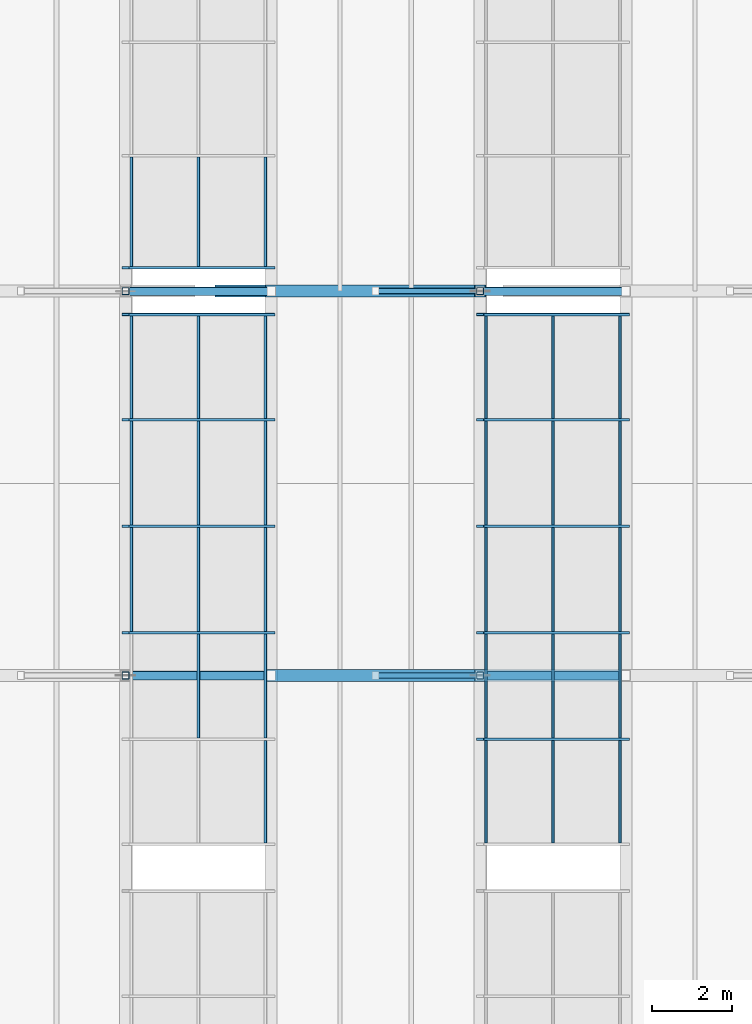
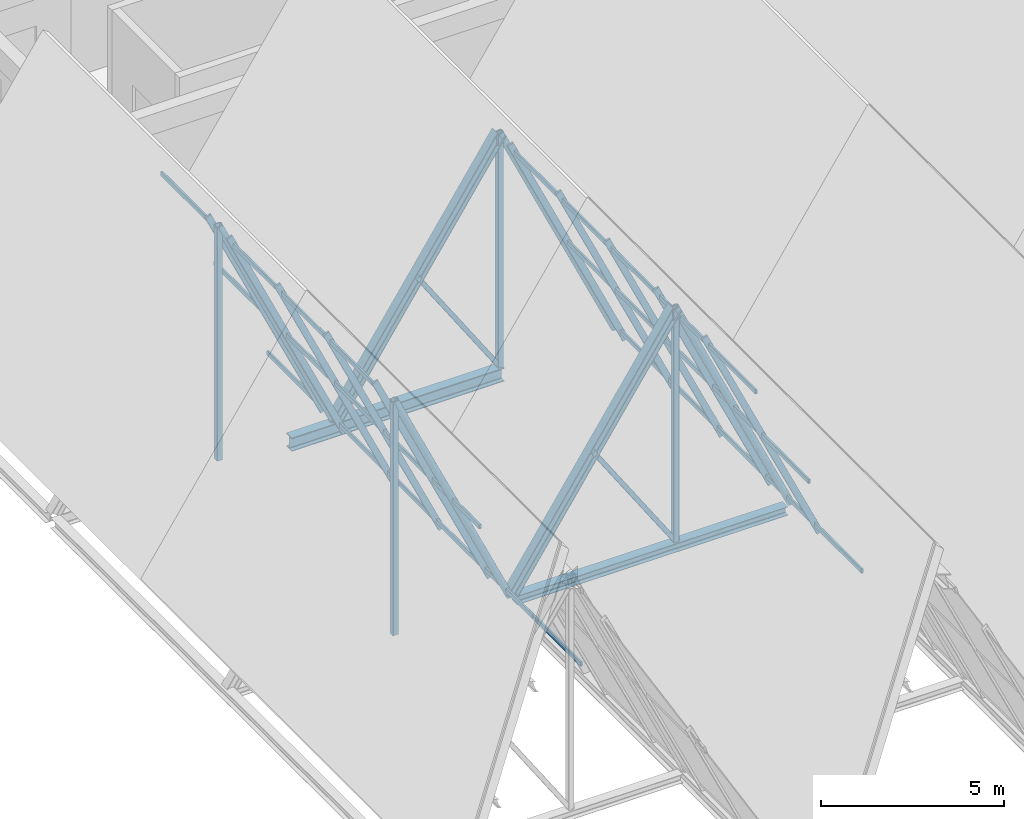
# One storey, part 47 of 99: 53 members, 1 beam, 3 elements without a shape of their own.
"""IFC4 building model written with IfcOpenShell, lengths in metres."""

from ifc_helpers import new_model, si_unit, direction, frame, origin, origin_2d, place, context, subcontext, project, spatial, hollow_rectangle, hollow_circle, i_section, extrude, material, material_profile, profile_set, type_object, element, aggregate, save


model = new_model("IFC4")

# Units and contexts
model_context = context("Model", 3, precision=1e-05, world=origin(), true_north=direction((0.0, 1.0)))
body_context = subcontext(model_context, "Body", "Model", "MODEL_VIEW")
ifc_project = project(units=[si_unit("LENGTHUNIT", "METRE"), si_unit("AREAUNIT", "SQUARE_METRE"), si_unit("VOLUMEUNIT", "CUBIC_METRE"), si_unit("PLANEANGLEUNIT", "RADIAN"), si_unit("MASSUNIT", "GRAM", prefix="KILO")], contexts=[model_context])

# Site, building, storey
site_placement = place(None, origin())
site = spatial("IfcSite", under=ifc_project, at=site_placement, CompositionType="ELEMENT")
building_placement = place(site_placement, origin())
building = spatial("IfcBuilding", under=site, at=building_placement, Name="Bramveld Media Centre", CompositionType="ELEMENT")
storey_placement = place(building_placement, frame((0.0, 0.0, 13.800048828125)))
storey = spatial("IfcBuildingStorey", under=building, at=storey_placement, Name="L03", CompositionType="ELEMENT", Elevation=13.800048828125)

# Curtain wall, members
ifc_material_1 = material(Name="Thermally broken anodized bronze aluminium unitized curtain wall with solar-control triple glazing", Category="aluminium")
curtain_wall_type_1 = type_object("IfcCurtainWallType", Name="CW-SAW-13300x8606", PredefinedType="NOTDEFINED", material=ifc_material_1)
curtain_wall_1_placement = place(storey_placement, origin())
curtain_wall_1 = element("IfcCurtainWall", 1, at=curtain_wall_1_placement, inside=storey, type_object=curtain_wall_type_1, Name="V1 sawtooth north-light clerestory B1-S2", PredefinedType="NOTDEFINED")
ifc_material_2 = material(Name="Thermally broken anodized bronze aluminium EN AW-6063 T6 curtain-wall framing", Category="aluminium")
ifc_material_profile_1 = material_profile(ifc_material_2, hollow_rectangle(XDim=0.070068359375, YDim=0.199951171875, WallThickness=0.00439453125, InnerFilletRadius=0.00439453125, OuterFilletRadius=0.009033203125, at=origin_2d()), Name="AL-MULL 70x200")
ifc_profile_set_1 = profile_set([ifc_material_profile_1], Name="Thermally broken anodized bronze aluminium EN AW-6063 T6 curtain-wall framing")
member_type_1 = type_object("IfcMemberType", Name="CW-MULL-SLP", PredefinedType="MULLION", material=ifc_profile_set_1)
member_1_placement = place(storey_placement, frame((132.857177734375, 20.27001953125, -0.02001953125), z_axis=(-0.423956992265, 0.0, 0.90568232218), x_axis=(0.0, -1.0, 0.0)))
member_1 = element("IfcMember", 2, at=member_1_placement, type_object=member_type_1, Name="CW-SA-13386 sloped mullion 3", PredefinedType="MULLION", context=body_context, shape_type="SweptSolid", body=[
    extrude(hollow_rectangle(XDim=0.070068359375, YDim=0.199951171875, WallThickness=0.00439453125, InnerFilletRadius=0.00439453125, OuterFilletRadius=0.009033203125, at=origin_2d()), origin(), (0.0, 0.0, 1.0), 8.5791015625),
])
member_2_placement = place(storey_placement, frame((132.857177734375, 22.929931640625, -0.02001953125), z_axis=(-0.423956992265, 0.0, 0.90568232218), x_axis=(0.0, -1.0, 0.0)))
member_2 = element("IfcMember", 3, at=member_2_placement, type_object=member_type_1, Name="CW-SA-13386 sloped mullion 4", PredefinedType="MULLION", context=body_context, shape_type="SweptSolid", body=[
    extrude(hollow_rectangle(XDim=0.070068359375, YDim=0.199951171875, WallThickness=0.00439453125, InnerFilletRadius=0.00439453125, OuterFilletRadius=0.009033203125, at=origin_2d()), origin(), (0.0, 0.0, 1.0), 8.5791015625),
])
member_3_placement = place(storey_placement, frame((132.857177734375, 25.590087890625, -0.02001953125), z_axis=(-0.423956992265, 0.0, 0.90568232218), x_axis=(0.0, -1.0, 0.0)))
member_3 = element("IfcMember", 4, at=member_3_placement, type_object=member_type_1, Name="CW-SA-13386 sloped mullion 5", PredefinedType="MULLION", context=body_context, shape_type="SweptSolid", body=[
    extrude(hollow_rectangle(XDim=0.070068359375, YDim=0.199951171875, WallThickness=0.00439453125, InnerFilletRadius=0.00439453125, OuterFilletRadius=0.009033203125, at=origin_2d()), origin(), (0.0, 0.0, 1.0), 8.5791015625),
])
member_4_placement = place(storey_placement, frame((132.857177734375, 28.215087890625, -0.02001953125), z_axis=(-0.423956992265, 0.0, 0.90568232218), x_axis=(0.0, -1.0, 0.0)))
member_4 = element("IfcMember", 5, at=member_4_placement, type_object=member_type_1, Name="CW-SA-13386 sloped mullion 6", PredefinedType="MULLION", context=body_context, shape_type="SweptSolid", body=[
    extrude(hollow_rectangle(XDim=0.070068359375, YDim=0.199951171875, WallThickness=0.00439453125, InnerFilletRadius=0.00439453125, OuterFilletRadius=0.009033203125, at=origin_2d()), origin(), (0.0, 0.0, 1.0), 8.5791015625),
])

# Curtain wall, member
ifc_material_3 = material(Name="Thermally broken anodized bronze aluminium unitized curtain wall with solar-control triple glazing", Category="aluminium")
curtain_wall_type_2 = type_object("IfcCurtainWallType", Name="CW-SAW-8500x8606", PredefinedType="NOTDEFINED", material=ifc_material_3)
curtain_wall_2_placement = place(storey_placement, origin())
curtain_wall_2 = element("IfcCurtainWall", 6, at=curtain_wall_2_placement, inside=storey, type_object=curtain_wall_type_2, Name="V1 sawtooth north-light clerestory B1-S3", PredefinedType="NOTDEFINED")
member_5_placement = place(storey_placement, frame((132.857177734375, 29.385009765625, -0.02001953125), z_axis=(-0.423956992265, 0.0, 0.90568232218), x_axis=(0.0, -1.0, 0.0)))
member_5 = element("IfcMember", 7, at=member_5_placement, type_object=member_type_1, Name="CW-SA-8586 sloped mullion 1", PredefinedType="MULLION", context=body_context, shape_type="SweptSolid", body=[
    extrude(hollow_rectangle(XDim=0.070068359375, YDim=0.199951171875, WallThickness=0.00439453125, InnerFilletRadius=0.00439453125, OuterFilletRadius=0.009033203125, at=origin_2d()), origin(), (0.0, 0.0, 1.0), 8.5791015625),
])

# Curtain wall, members
curtain_wall_3_placement = place(storey_placement, origin())
curtain_wall_3 = element("IfcCurtainWall", 8, at=curtain_wall_3_placement, inside=storey, type_object=curtain_wall_type_1, Name="V1 sawtooth north-light clerestory B2-S2", PredefinedType="NOTDEFINED")
member_6_placement = place(storey_placement, frame((141.71435546875, 17.610107421875, -0.02001953125), z_axis=(-0.423980334249, 0.0, 0.905671395248), x_axis=(0.0, -1.0, 0.0)))
member_6 = element("IfcMember", 9, at=member_6_placement, type_object=member_type_1, Name="CW-SA-13386 sloped mullion 2", PredefinedType="MULLION", context=body_context, shape_type="SweptSolid", body=[
    extrude(hollow_rectangle(XDim=0.070068359375, YDim=0.199951171875, WallThickness=0.00439453125, InnerFilletRadius=0.00439453125, OuterFilletRadius=0.009033203125, at=origin_2d()), origin(), (0.0, 0.0, 1.0), 8.579345703125),
])
member_7_placement = place(storey_placement, frame((141.71435546875, 20.27001953125, -0.02001953125), z_axis=(-0.423980334249, 0.0, 0.905671395248), x_axis=(0.0, -1.0, 0.0)))
member_7 = element("IfcMember", 10, at=member_7_placement, type_object=member_type_1, Name="CW-SA-13386 sloped mullion 3", PredefinedType="MULLION", context=body_context, shape_type="SweptSolid", body=[
    extrude(hollow_rectangle(XDim=0.070068359375, YDim=0.199951171875, WallThickness=0.00439453125, InnerFilletRadius=0.00439453125, OuterFilletRadius=0.009033203125, at=origin_2d()), origin(), (0.0, 0.0, 1.0), 8.579345703125),
])
member_8_placement = place(storey_placement, frame((141.71435546875, 22.929931640625, -0.02001953125), z_axis=(-0.423980334249, 0.0, 0.905671395248), x_axis=(0.0, -1.0, 0.0)))
member_8 = element("IfcMember", 11, at=member_8_placement, type_object=member_type_1, Name="CW-SA-13386 sloped mullion 4", PredefinedType="MULLION", context=body_context, shape_type="SweptSolid", body=[
    extrude(hollow_rectangle(XDim=0.070068359375, YDim=0.199951171875, WallThickness=0.00439453125, InnerFilletRadius=0.00439453125, OuterFilletRadius=0.009033203125, at=origin_2d()), origin(), (0.0, 0.0, 1.0), 8.579345703125),
])
member_9_placement = place(storey_placement, frame((141.71435546875, 25.590087890625, -0.02001953125), z_axis=(-0.423980334249, 0.0, 0.905671395248), x_axis=(0.0, -1.0, 0.0)))
member_9 = element("IfcMember", 12, at=member_9_placement, type_object=member_type_1, Name="CW-SA-13386 sloped mullion 5", PredefinedType="MULLION", context=body_context, shape_type="SweptSolid", body=[
    extrude(hollow_rectangle(XDim=0.070068359375, YDim=0.199951171875, WallThickness=0.00439453125, InnerFilletRadius=0.00439453125, OuterFilletRadius=0.009033203125, at=origin_2d()), origin(), (0.0, 0.0, 1.0), 8.579345703125),
])
member_10_placement = place(storey_placement, frame((141.71435546875, 28.215087890625, -0.02001953125), z_axis=(-0.423980334249, 0.0, 0.905671395248), x_axis=(0.0, -1.0, 0.0)))
member_10 = element("IfcMember", 13, at=member_10_placement, type_object=member_type_1, Name="CW-SA-13386 sloped mullion 6", PredefinedType="MULLION", context=body_context, shape_type="SweptSolid", body=[
    extrude(hollow_rectangle(XDim=0.070068359375, YDim=0.199951171875, WallThickness=0.00439453125, InnerFilletRadius=0.00439453125, OuterFilletRadius=0.009033203125, at=origin_2d()), origin(), (0.0, 0.0, 1.0), 8.579345703125),
])

# Member
ifc_material_4 = material(Name="Thermally broken anodized bronze aluminium EN AW-6063 T6 curtain-wall framing", Category="aluminium")
ifc_material_profile_2 = material_profile(ifc_material_4, hollow_rectangle(XDim=0.070068359375, YDim=0.14990234375, WallThickness=0.00390625, InnerFilletRadius=0.00390625, OuterFilletRadius=0.008056640625, at=origin_2d()), Name="AL-TRAN 70x150")
ifc_profile_set_2 = profile_set([ifc_material_profile_2], Name="Thermally broken anodized bronze aluminium EN AW-6063 T6 curtain-wall framing")
member_type_2 = type_object("IfcMemberType", Name="CW-TRAN-SLP", PredefinedType="USERDEFINED", material=ifc_profile_set_2)
member_11_placement = place(storey_placement, frame((132.711669921875, 15.02001953125, 0.290771484375), z_axis=(0.0, 1.0, 0.0), x_axis=(-1.0, 0.0, 0.0)))
member_11 = element("IfcMember", 14, at=member_11_placement, type_object=member_type_2, Name="CW-SA-13386 transom 1.1", ObjectType="TRANSOM", PredefinedType="USERDEFINED", context=body_context, shape_type="SweptSolid", body=[
    extrude(hollow_rectangle(XDim=0.070068359375, YDim=0.14990234375, WallThickness=0.00390625, InnerFilletRadius=0.00390625, OuterFilletRadius=0.008056640625, at=origin_2d()), origin(), (0.0, 0.0, 1.0), 2.554931640625),
])

member_12_placement = place(storey_placement, frame((132.711669921875, 17.64501953125, 0.290771484375), z_axis=(0.0, 1.0, 0.0), x_axis=(-1.0, 0.0, 0.0)))
member_12 = element("IfcMember", 15, at=member_12_placement, type_object=member_type_2, Name="CW-SA-13386 transom 2.1", ObjectType="TRANSOM", PredefinedType="USERDEFINED", context=body_context, shape_type="SweptSolid", body=[
    extrude(hollow_rectangle(XDim=0.070068359375, YDim=0.14990234375, WallThickness=0.00390625, InnerFilletRadius=0.00390625, OuterFilletRadius=0.008056640625, at=origin_2d()), origin(), (0.0, 0.0, 1.0), 2.590087890625),
])

member_13_placement = place(storey_placement, frame((131.03857421875, 17.64501953125, 3.864990234375), z_axis=(0.0, 1.0, 0.0), x_axis=(-1.0, 0.0, 0.0)))
member_13 = element("IfcMember", 16, at=member_13_placement, type_object=member_type_2, Name="CW-SA-13386 transom 2.2", ObjectType="TRANSOM", PredefinedType="USERDEFINED", context=body_context, shape_type="SweptSolid", body=[
    extrude(hollow_rectangle(XDim=0.070068359375, YDim=0.14990234375, WallThickness=0.00390625, InnerFilletRadius=0.00390625, OuterFilletRadius=0.008056640625, at=origin_2d()), origin(), (0.0, 0.0, 1.0), 2.590087890625),
])

member_14_placement = place(storey_placement, frame((132.711669921875, 20.304931640625, 0.290771484375), z_axis=(0.0, 1.0, 0.0), x_axis=(-1.0, 0.0, 0.0)))
member_14 = element("IfcMember", 17, at=member_14_placement, type_object=member_type_2, Name="CW-SA-13386 transom 3.1", ObjectType="TRANSOM", PredefinedType="USERDEFINED", context=body_context, shape_type="SweptSolid", body=[
    extrude(hollow_rectangle(XDim=0.070068359375, YDim=0.14990234375, WallThickness=0.00390625, InnerFilletRadius=0.00390625, OuterFilletRadius=0.008056640625, at=origin_2d()), origin(), (0.0, 0.0, 1.0), 2.590087890625),
])

member_15_placement = place(storey_placement, frame((131.03857421875, 20.304931640625, 3.864990234375), z_axis=(0.0, 1.0, 0.0), x_axis=(-1.0, 0.0, 0.0)))
member_15 = element("IfcMember", 18, at=member_15_placement, type_object=member_type_2, Name="CW-SA-13386 transom 3.2", ObjectType="TRANSOM", PredefinedType="USERDEFINED", context=body_context, shape_type="SweptSolid", body=[
    extrude(hollow_rectangle(XDim=0.070068359375, YDim=0.14990234375, WallThickness=0.00390625, InnerFilletRadius=0.00390625, OuterFilletRadius=0.008056640625, at=origin_2d()), origin(), (0.0, 0.0, 1.0), 2.590087890625),
])

member_16_placement = place(storey_placement, frame((129.365478515625, 20.304931640625, 7.439208984375), z_axis=(0.0, 1.0, 0.0), x_axis=(-1.0, 0.0, 0.0)))
member_16 = element("IfcMember", 19, at=member_16_placement, type_object=member_type_2, Name="CW-SA-13386 transom 3.3", ObjectType="TRANSOM", PredefinedType="USERDEFINED", context=body_context, shape_type="SweptSolid", body=[
    extrude(hollow_rectangle(XDim=0.070068359375, YDim=0.14990234375, WallThickness=0.00390625, InnerFilletRadius=0.00390625, OuterFilletRadius=0.008056640625, at=origin_2d()), origin(), (0.0, 0.0, 1.0), 2.590087890625),
])

member_17_placement = place(storey_placement, frame((132.711669921875, 22.965087890625, 0.290771484375), z_axis=(0.0, 1.0, 0.0), x_axis=(-1.0, 0.0, 0.0)))
member_17 = element("IfcMember", 20, at=member_17_placement, type_object=member_type_2, Name="CW-SA-13386 transom 4.1", ObjectType="TRANSOM", PredefinedType="USERDEFINED", context=body_context, shape_type="SweptSolid", body=[
    extrude(hollow_rectangle(XDim=0.070068359375, YDim=0.14990234375, WallThickness=0.00390625, InnerFilletRadius=0.00390625, OuterFilletRadius=0.008056640625, at=origin_2d()), origin(), (0.0, 0.0, 1.0), 2.58984375),
])

member_18_placement = place(storey_placement, frame((131.03857421875, 22.965087890625, 3.864990234375), z_axis=(0.0, 1.0, 0.0), x_axis=(-1.0, 0.0, 0.0)))
member_18 = element("IfcMember", 21, at=member_18_placement, type_object=member_type_2, Name="CW-SA-13386 transom 4.2", ObjectType="TRANSOM", PredefinedType="USERDEFINED", context=body_context, shape_type="SweptSolid", body=[
    extrude(hollow_rectangle(XDim=0.070068359375, YDim=0.14990234375, WallThickness=0.00390625, InnerFilletRadius=0.00390625, OuterFilletRadius=0.008056640625, at=origin_2d()), origin(), (0.0, 0.0, 1.0), 2.58984375),
])

member_19_placement = place(storey_placement, frame((129.365478515625, 22.965087890625, 7.439208984375), z_axis=(0.0, 1.0, 0.0), x_axis=(-1.0, 0.0, 0.0)))
member_19 = element("IfcMember", 22, at=member_19_placement, type_object=member_type_2, Name="CW-SA-13386 transom 4.3", ObjectType="TRANSOM", PredefinedType="USERDEFINED", context=body_context, shape_type="SweptSolid", body=[
    extrude(hollow_rectangle(XDim=0.070068359375, YDim=0.14990234375, WallThickness=0.00390625, InnerFilletRadius=0.00390625, OuterFilletRadius=0.008056640625, at=origin_2d()), origin(), (0.0, 0.0, 1.0), 2.58984375),
])

member_20_placement = place(storey_placement, frame((132.711669921875, 25.625, 0.290771484375), z_axis=(0.0, 1.0, 0.0), x_axis=(-1.0, 0.0, 0.0)))
member_20 = element("IfcMember", 23, at=member_20_placement, type_object=member_type_2, Name="CW-SA-13386 transom 5.1", ObjectType="TRANSOM", PredefinedType="USERDEFINED", context=body_context, shape_type="SweptSolid", body=[
    extrude(hollow_rectangle(XDim=0.070068359375, YDim=0.14990234375, WallThickness=0.00390625, InnerFilletRadius=0.00390625, OuterFilletRadius=0.008056640625, at=origin_2d()), origin(), (0.0, 0.0, 1.0), 2.554931640625),
])

member_21_placement = place(storey_placement, frame((131.03857421875, 25.625, 3.864990234375), z_axis=(0.0, 1.0, 0.0), x_axis=(-1.0, 0.0, 0.0)))
member_21 = element("IfcMember", 24, at=member_21_placement, type_object=member_type_2, Name="CW-SA-13386 transom 5.2", ObjectType="TRANSOM", PredefinedType="USERDEFINED", context=body_context, shape_type="SweptSolid", body=[
    extrude(hollow_rectangle(XDim=0.070068359375, YDim=0.14990234375, WallThickness=0.00390625, InnerFilletRadius=0.00390625, OuterFilletRadius=0.008056640625, at=origin_2d()), origin(), (0.0, 0.0, 1.0), 2.554931640625),
])

member_22_placement = place(storey_placement, frame((129.365478515625, 25.625, 7.439208984375), z_axis=(0.0, 1.0, 0.0), x_axis=(-1.0, 0.0, 0.0)))
member_22 = element("IfcMember", 25, at=member_22_placement, type_object=member_type_2, Name="CW-SA-13386 transom 5.3", ObjectType="TRANSOM", PredefinedType="USERDEFINED", context=body_context, shape_type="SweptSolid", body=[
    extrude(hollow_rectangle(XDim=0.070068359375, YDim=0.14990234375, WallThickness=0.00390625, InnerFilletRadius=0.00390625, OuterFilletRadius=0.008056640625, at=origin_2d()), origin(), (0.0, 0.0, 1.0), 2.554931640625),
])

aggregate(curtain_wall_1, [member_1, member_2, member_3, member_4, member_11, member_12, member_13, member_14, member_15, member_16, member_17, member_18, member_19, member_20, member_21, member_22])

member_23_placement = place(storey_placement, frame((132.711669921875, 29.419921875, 0.290771484375), z_axis=(0.0, 1.0, 0.0), x_axis=(-1.0, 0.0, 0.0)))
member_23 = element("IfcMember", 26, at=member_23_placement, type_object=member_type_2, Name="CW-SA-8586 transom 1.1", ObjectType="TRANSOM", PredefinedType="USERDEFINED", context=body_context, shape_type="SweptSolid", body=[
    extrude(hollow_rectangle(XDim=0.070068359375, YDim=0.14990234375, WallThickness=0.00390625, InnerFilletRadius=0.00390625, OuterFilletRadius=0.008056640625, at=origin_2d()), origin(), (0.0, 0.0, 1.0), 2.728271484375),
])

member_24_placement = place(storey_placement, frame((131.03857421875, 29.419921875, 3.864990234375), z_axis=(0.0, 1.0, 0.0), x_axis=(-1.0, 0.0, 0.0)))
member_24 = element("IfcMember", 27, at=member_24_placement, type_object=member_type_2, Name="CW-SA-8586 transom 1.2", ObjectType="TRANSOM", PredefinedType="USERDEFINED", context=body_context, shape_type="SweptSolid", body=[
    extrude(hollow_rectangle(XDim=0.070068359375, YDim=0.14990234375, WallThickness=0.00390625, InnerFilletRadius=0.00390625, OuterFilletRadius=0.008056640625, at=origin_2d()), origin(), (0.0, 0.0, 1.0), 2.728271484375),
])

member_25_placement = place(storey_placement, frame((129.365478515625, 29.419921875, 7.439208984375), z_axis=(0.0, 1.0, 0.0), x_axis=(-1.0, 0.0, 0.0)))
member_25 = element("IfcMember", 28, at=member_25_placement, type_object=member_type_2, Name="CW-SA-8586 transom 1.3", ObjectType="TRANSOM", PredefinedType="USERDEFINED", context=body_context, shape_type="SweptSolid", body=[
    extrude(hollow_rectangle(XDim=0.070068359375, YDim=0.14990234375, WallThickness=0.00390625, InnerFilletRadius=0.00390625, OuterFilletRadius=0.008056640625, at=origin_2d()), origin(), (0.0, 0.0, 1.0), 2.728271484375),
])

aggregate(curtain_wall_2, [member_5, member_23, member_24, member_25])

member_26_placement = place(storey_placement, frame((141.56884765625, 15.02001953125, 0.290771484375), z_axis=(0.0, 1.0, 0.0), x_axis=(-1.0, 0.0, 0.0)))
member_26 = element("IfcMember", 29, at=member_26_placement, type_object=member_type_2, Name="CW-SA-13386 transom 1.1", ObjectType="TRANSOM", PredefinedType="USERDEFINED", context=body_context, shape_type="SweptSolid", body=[
    extrude(hollow_rectangle(XDim=0.070068359375, YDim=0.14990234375, WallThickness=0.00390625, InnerFilletRadius=0.00390625, OuterFilletRadius=0.008056640625, at=origin_2d()), origin(), (0.0, 0.0, 1.0), 2.554931640625),
])

member_27_placement = place(storey_placement, frame((139.8955078125, 15.02001953125, 3.864990234375), z_axis=(0.0, 1.0, 0.0), x_axis=(-1.0, 0.0, 0.0)))
member_27 = element("IfcMember", 30, at=member_27_placement, type_object=member_type_2, Name="CW-SA-13386 transom 1.2", ObjectType="TRANSOM", PredefinedType="USERDEFINED", context=body_context, shape_type="SweptSolid", body=[
    extrude(hollow_rectangle(XDim=0.070068359375, YDim=0.14990234375, WallThickness=0.00390625, InnerFilletRadius=0.00390625, OuterFilletRadius=0.008056640625, at=origin_2d()), origin(), (0.0, 0.0, 1.0), 2.554931640625),
])

member_28_placement = place(storey_placement, frame((138.222412109375, 15.02001953125, 7.439208984375), z_axis=(0.0, 1.0, 0.0), x_axis=(-1.0, 0.0, 0.0)))
member_28 = element("IfcMember", 31, at=member_28_placement, type_object=member_type_2, Name="CW-SA-13386 transom 1.3", ObjectType="TRANSOM", PredefinedType="USERDEFINED", context=body_context, shape_type="SweptSolid", body=[
    extrude(hollow_rectangle(XDim=0.070068359375, YDim=0.14990234375, WallThickness=0.00390625, InnerFilletRadius=0.00390625, OuterFilletRadius=0.008056640625, at=origin_2d()), origin(), (0.0, 0.0, 1.0), 2.554931640625),
])

member_29_placement = place(storey_placement, frame((141.56884765625, 17.64501953125, 0.290771484375), z_axis=(0.0, 1.0, 0.0), x_axis=(-1.0, 0.0, 0.0)))
member_29 = element("IfcMember", 32, at=member_29_placement, type_object=member_type_2, Name="CW-SA-13386 transom 2.1", ObjectType="TRANSOM", PredefinedType="USERDEFINED", context=body_context, shape_type="SweptSolid", body=[
    extrude(hollow_rectangle(XDim=0.070068359375, YDim=0.14990234375, WallThickness=0.00390625, InnerFilletRadius=0.00390625, OuterFilletRadius=0.008056640625, at=origin_2d()), origin(), (0.0, 0.0, 1.0), 2.590087890625),
])

member_30_placement = place(storey_placement, frame((139.8955078125, 17.64501953125, 3.864990234375), z_axis=(0.0, 1.0, 0.0), x_axis=(-1.0, 0.0, 0.0)))
member_30 = element("IfcMember", 33, at=member_30_placement, type_object=member_type_2, Name="CW-SA-13386 transom 2.2", ObjectType="TRANSOM", PredefinedType="USERDEFINED", context=body_context, shape_type="SweptSolid", body=[
    extrude(hollow_rectangle(XDim=0.070068359375, YDim=0.14990234375, WallThickness=0.00390625, InnerFilletRadius=0.00390625, OuterFilletRadius=0.008056640625, at=origin_2d()), origin(), (0.0, 0.0, 1.0), 2.590087890625),
])

member_31_placement = place(storey_placement, frame((138.222412109375, 17.64501953125, 7.439208984375), z_axis=(0.0, 1.0, 0.0), x_axis=(-1.0, 0.0, 0.0)))
member_31 = element("IfcMember", 34, at=member_31_placement, type_object=member_type_2, Name="CW-SA-13386 transom 2.3", ObjectType="TRANSOM", PredefinedType="USERDEFINED", context=body_context, shape_type="SweptSolid", body=[
    extrude(hollow_rectangle(XDim=0.070068359375, YDim=0.14990234375, WallThickness=0.00390625, InnerFilletRadius=0.00390625, OuterFilletRadius=0.008056640625, at=origin_2d()), origin(), (0.0, 0.0, 1.0), 2.590087890625),
])

member_32_placement = place(storey_placement, frame((141.56884765625, 20.304931640625, 0.290771484375), z_axis=(0.0, 1.0, 0.0), x_axis=(-1.0, 0.0, 0.0)))
member_32 = element("IfcMember", 35, at=member_32_placement, type_object=member_type_2, Name="CW-SA-13386 transom 3.1", ObjectType="TRANSOM", PredefinedType="USERDEFINED", context=body_context, shape_type="SweptSolid", body=[
    extrude(hollow_rectangle(XDim=0.070068359375, YDim=0.14990234375, WallThickness=0.00390625, InnerFilletRadius=0.00390625, OuterFilletRadius=0.008056640625, at=origin_2d()), origin(), (0.0, 0.0, 1.0), 2.590087890625),
])

member_33_placement = place(storey_placement, frame((139.8955078125, 20.304931640625, 3.864990234375), z_axis=(0.0, 1.0, 0.0), x_axis=(-1.0, 0.0, 0.0)))
member_33 = element("IfcMember", 36, at=member_33_placement, type_object=member_type_2, Name="CW-SA-13386 transom 3.2", ObjectType="TRANSOM", PredefinedType="USERDEFINED", context=body_context, shape_type="SweptSolid", body=[
    extrude(hollow_rectangle(XDim=0.070068359375, YDim=0.14990234375, WallThickness=0.00390625, InnerFilletRadius=0.00390625, OuterFilletRadius=0.008056640625, at=origin_2d()), origin(), (0.0, 0.0, 1.0), 2.590087890625),
])

member_34_placement = place(storey_placement, frame((138.222412109375, 20.304931640625, 7.439208984375), z_axis=(0.0, 1.0, 0.0), x_axis=(-1.0, 0.0, 0.0)))
member_34 = element("IfcMember", 37, at=member_34_placement, type_object=member_type_2, Name="CW-SA-13386 transom 3.3", ObjectType="TRANSOM", PredefinedType="USERDEFINED", context=body_context, shape_type="SweptSolid", body=[
    extrude(hollow_rectangle(XDim=0.070068359375, YDim=0.14990234375, WallThickness=0.00390625, InnerFilletRadius=0.00390625, OuterFilletRadius=0.008056640625, at=origin_2d()), origin(), (0.0, 0.0, 1.0), 2.590087890625),
])

member_35_placement = place(storey_placement, frame((141.56884765625, 22.965087890625, 0.290771484375), z_axis=(0.0, 1.0, 0.0), x_axis=(-1.0, 0.0, 0.0)))
member_35 = element("IfcMember", 38, at=member_35_placement, type_object=member_type_2, Name="CW-SA-13386 transom 4.1", ObjectType="TRANSOM", PredefinedType="USERDEFINED", context=body_context, shape_type="SweptSolid", body=[
    extrude(hollow_rectangle(XDim=0.070068359375, YDim=0.14990234375, WallThickness=0.00390625, InnerFilletRadius=0.00390625, OuterFilletRadius=0.008056640625, at=origin_2d()), origin(), (0.0, 0.0, 1.0), 2.58984375),
])

member_36_placement = place(storey_placement, frame((139.8955078125, 22.965087890625, 3.864990234375), z_axis=(0.0, 1.0, 0.0), x_axis=(-1.0, 0.0, 0.0)))
member_36 = element("IfcMember", 39, at=member_36_placement, type_object=member_type_2, Name="CW-SA-13386 transom 4.2", ObjectType="TRANSOM", PredefinedType="USERDEFINED", context=body_context, shape_type="SweptSolid", body=[
    extrude(hollow_rectangle(XDim=0.070068359375, YDim=0.14990234375, WallThickness=0.00390625, InnerFilletRadius=0.00390625, OuterFilletRadius=0.008056640625, at=origin_2d()), origin(), (0.0, 0.0, 1.0), 2.58984375),
])

member_37_placement = place(storey_placement, frame((138.222412109375, 22.965087890625, 7.439208984375), z_axis=(0.0, 1.0, 0.0), x_axis=(-1.0, 0.0, 0.0)))
member_37 = element("IfcMember", 40, at=member_37_placement, type_object=member_type_2, Name="CW-SA-13386 transom 4.3", ObjectType="TRANSOM", PredefinedType="USERDEFINED", context=body_context, shape_type="SweptSolid", body=[
    extrude(hollow_rectangle(XDim=0.070068359375, YDim=0.14990234375, WallThickness=0.00390625, InnerFilletRadius=0.00390625, OuterFilletRadius=0.008056640625, at=origin_2d()), origin(), (0.0, 0.0, 1.0), 2.58984375),
])

member_38_placement = place(storey_placement, frame((141.56884765625, 25.625, 0.290771484375), z_axis=(0.0, 1.0, 0.0), x_axis=(-1.0, 0.0, 0.0)))
member_38 = element("IfcMember", 41, at=member_38_placement, type_object=member_type_2, Name="CW-SA-13386 transom 5.1", ObjectType="TRANSOM", PredefinedType="USERDEFINED", context=body_context, shape_type="SweptSolid", body=[
    extrude(hollow_rectangle(XDim=0.070068359375, YDim=0.14990234375, WallThickness=0.00390625, InnerFilletRadius=0.00390625, OuterFilletRadius=0.008056640625, at=origin_2d()), origin(), (0.0, 0.0, 1.0), 2.554931640625),
])

member_39_placement = place(storey_placement, frame((139.8955078125, 25.625, 3.864990234375), z_axis=(0.0, 1.0, 0.0), x_axis=(-1.0, 0.0, 0.0)))
member_39 = element("IfcMember", 42, at=member_39_placement, type_object=member_type_2, Name="CW-SA-13386 transom 5.2", ObjectType="TRANSOM", PredefinedType="USERDEFINED", context=body_context, shape_type="SweptSolid", body=[
    extrude(hollow_rectangle(XDim=0.070068359375, YDim=0.14990234375, WallThickness=0.00390625, InnerFilletRadius=0.00390625, OuterFilletRadius=0.008056640625, at=origin_2d()), origin(), (0.0, 0.0, 1.0), 2.554931640625),
])

member_40_placement = place(storey_placement, frame((138.222412109375, 25.625, 7.439208984375), z_axis=(0.0, 1.0, 0.0), x_axis=(-1.0, 0.0, 0.0)))
member_40 = element("IfcMember", 43, at=member_40_placement, type_object=member_type_2, Name="CW-SA-13386 transom 5.3", ObjectType="TRANSOM", PredefinedType="USERDEFINED", context=body_context, shape_type="SweptSolid", body=[
    extrude(hollow_rectangle(XDim=0.070068359375, YDim=0.14990234375, WallThickness=0.00390625, InnerFilletRadius=0.00390625, OuterFilletRadius=0.008056640625, at=origin_2d()), origin(), (0.0, 0.0, 1.0), 2.554931640625),
])

aggregate(curtain_wall_3, [member_6, member_7, member_8, member_9, member_10, member_26, member_27, member_28, member_29, member_30, member_31, member_32, member_33, member_34, member_35, member_36, member_37, member_38, member_39, member_40])

# Members
ifc_material_5 = material(Name="Steel S355J2H", Category="steel")
ifc_material_profile_3 = material_profile(ifc_material_5, hollow_circle(Radius=0.109619140625, WallThickness=0.012451171875, at=origin_2d()), Name="CHS 219.1x12.5")
ifc_profile_set_3 = profile_set([ifc_material_profile_3], Name="Steel S355J2H")
member_type_3 = type_object("IfcMemberType", Name="MEM-BRACE-CHS219", PredefinedType="BRACE", material=ifc_profile_set_3)
for number, where, z_axis, x_axis, name in (
    (44, (132.857177734375, 19.199951171875, 0.0), (-0.422616785161, 0.0, 0.906308475575), (0.0, -1.0, 0.0), "TRUSS-V1-B01-F3 north-light strut"),
    (45, (132.857177734375, 28.800048828125, 0.0), (-0.422616785161, 0.0, 0.906308475575), (0.0, -1.0, 0.0), "TRUSS-V1-B01-F4 north-light strut"),
    (46, (141.71435546875, 19.199951171875, 0.0), (-0.422640085544, 0.0, 0.90629761011), (0.0, -1.0, 0.0), "TRUSS-V1-B02-F3 north-light strut"),
    (47, (141.71435546875, 28.800048828125, 0.0), (-0.422640085544, 0.0, 0.90629761011), (0.0, -1.0, 0.0), "TRUSS-V1-B02-F4 north-light strut"),
):
    element("IfcMember", number, at=place(storey_placement, frame(where, z_axis=z_axis, x_axis=x_axis)), inside=storey, type_object=member_type_3, Name=name, PredefinedType="BRACE", context=body_context, shape_type="SweptSolid", body=[
        extrude(hollow_circle(Radius=0.109619140625, WallThickness=0.012451171875, at=origin_2d()), origin(), (0.0, 0.0, 1.0), 8.6064453125),
    ])
ifc_material_6 = material(Name="Steel S355J2H", Category="steel")
ifc_material_profile_4 = material_profile(ifc_material_6, hollow_rectangle(XDim=0.14990234375, YDim=0.14990234375, WallThickness=0.010009765625, InnerFilletRadius=0.010009765625, OuterFilletRadius=0.02001953125, at=origin_2d()), Name="SHS 150x150x10")
ifc_profile_set_4 = profile_set([ifc_material_profile_4], Name="Steel S355J2H")
member_type_4 = type_object("IfcMemberType", Name="MEM-BRACE-SHS150", PredefinedType="BRACE", material=ifc_profile_set_4)
for number, where, z_axis, x_axis, name in (
    (48, (138.076904296875, 19.199951171875, 0.0), (-0.55616408489, 0.0, 0.83107250627), (0.0, -1.0, 0.0), "TRUSS-V1-B02-F3 web diagonal"),
    (49, (138.076904296875, 28.800048828125, 0.0), (-0.55616408489, 0.0, 0.83107250627), (0.0, -1.0, 0.0), "TRUSS-V1-B02-F4 web diagonal"),
):
    element("IfcMember", number, at=place(storey_placement, frame(where, z_axis=z_axis, x_axis=x_axis)), inside=storey, type_object=member_type_4, Name=name, PredefinedType="BRACE", context=body_context, shape_type="SweptSolid", body=[
        extrude(hollow_rectangle(XDim=0.14990234375, YDim=0.14990234375, WallThickness=0.010009765625, InnerFilletRadius=0.010009765625, OuterFilletRadius=0.02001953125, at=origin_2d()), origin(), (0.0, 0.0, 1.0), 4.692626953125),
    ])
ifc_material_7 = material(Name="Steel S355J2", Category="steel")
ifc_material_profile_5 = material_profile(ifc_material_7, i_section(OverallWidth=0.300048828125, OverallDepth=0.2900390625, WebThickness=0.008544921875, FlangeThickness=0.013916015625, FilletRadius=0.027099609375, at=origin_2d()), Name="HEA 300")
ifc_profile_set_5 = profile_set([ifc_material_profile_5], Name="Steel S355J2")
member_type_5 = type_object("IfcMemberType", Name="MEM-CHORD-HEA300", PredefinedType="CHORD", material=ifc_profile_set_5)
member_41_placement = place(storey_placement, frame((133.01708984375, 19.199951171875, -0.14501953125), z_axis=(1.0, 0.0, 0.0), x_axis=(0.0, 1.0, 0.0)))
element("IfcMember", 50, at=member_41_placement, inside=storey, type_object=member_type_5, Name="TRUSS-V1-B02-F3 bottom tie chord", PredefinedType="CHORD", context=body_context, shape_type="SweptSolid", body=[
    extrude(i_section(OverallWidth=0.300048828125, OverallDepth=0.2900390625, WebThickness=0.008544921875, FlangeThickness=0.013916015625, FilletRadius=0.027099609375, at=origin_2d()), origin(), (0.0, 0.0, 1.0), 8.537109375),
])
ifc_material_8 = material(Name="Steel S355J2", Category="steel")
ifc_material_profile_6 = material_profile(ifc_material_8, i_section(OverallWidth=0.300048828125, OverallDepth=0.340087890625, WebThickness=0.011962890625, FlangeThickness=0.021484375, FilletRadius=0.027099609375, at=origin_2d()), Name="HEB 340")
ifc_profile_set_6 = profile_set([ifc_material_profile_6], Name="Steel S355J2")
member_type_6 = type_object("IfcMemberType", Name="MEM-CHORD-HEB340", PredefinedType="CHORD", material=ifc_profile_set_6)
for number, where, z_axis, x_axis, name in (
    (51, (132.857177734375, 19.199951171875, 0.0), (0.55615206142, 0.0, 0.8310805524), (0.0, 1.0, 0.0), "TRUSS-V1-B02-F3 top rafter chord"),
    (52, (132.857177734375, 28.800048828125, 0.0), (0.55615206142, 0.0, 0.8310805524), (0.0, 1.0, 0.0), "TRUSS-V1-B02-F4 top rafter chord"),
):
    element("IfcMember", number, at=place(storey_placement, frame(where, z_axis=z_axis, x_axis=x_axis)), inside=storey, type_object=member_type_6, Name=name, PredefinedType="CHORD", context=body_context, shape_type="SweptSolid", body=[
        extrude(i_section(OverallWidth=0.300048828125, OverallDepth=0.340087890625, WebThickness=0.011962890625, FlangeThickness=0.021484375, FilletRadius=0.027099609375, at=origin_2d()), origin(), (0.0, 0.0, 1.0), 9.385498046875),
    ])
ifc_material_9 = material(Name="Steel S355J2H", Category="steel")
ifc_material_profile_7 = material_profile(ifc_material_9, hollow_rectangle(XDim=0.179931640625, YDim=0.179931640625, WallThickness=0.010009765625, InnerFilletRadius=0.010009765625, OuterFilletRadius=0.02001953125, at=origin_2d()), Name="SHS 180x180x10")
ifc_profile_set_7 = profile_set([ifc_material_profile_7], Name="Steel S355J2H")
member_type_7 = type_object("IfcMemberType", Name="MEM-POST-SHS180", PredefinedType="POST", material=ifc_profile_set_7)
for number, where, z_axis, x_axis, name in (
    (53, (129.219970703125, 19.199951171875, 0.0), (0.0, 0.0, 1.0), (1.0, 0.0, 0.0), "TRUSS-V1-B01-F3 kingpost"),
    (54, (129.219970703125, 28.800048828125, 0.0), (0.0, 0.0, 1.0), (1.0, 0.0, 0.0), "TRUSS-V1-B01-F4 kingpost"),
    (55, (138.076904296875, 19.199951171875, 0.0), (0.0, 0.0, 1.0), (1.0, 0.0, 0.0), "TRUSS-V1-B02-F3 kingpost"),
    (56, (138.076904296875, 28.800048828125, 0.0), (0.0, 0.0, 1.0), (1.0, 0.0, 0.0), "TRUSS-V1-B02-F4 kingpost"),
):
    element("IfcMember", number, at=place(storey_placement, frame(where, z_axis=z_axis, x_axis=x_axis)), inside=storey, type_object=member_type_7, Name=name, PredefinedType="POST", context=body_context, shape_type="SweptSolid", body=[
        extrude(hollow_rectangle(XDim=0.179931640625, YDim=0.179931640625, WallThickness=0.010009765625, InnerFilletRadius=0.010009765625, OuterFilletRadius=0.02001953125, at=origin_2d()), origin(), (0.0, 0.0, 1.0), 7.800048828125),
    ])

# Beam
ifc_material_10 = material(Name="Steel S355J2", Category="steel")
ifc_material_profile_8 = material_profile(ifc_material_10, i_section(OverallWidth=0.300048828125, OverallDepth=0.449951171875, WebThickness=0.013916015625, FlangeThickness=0.02587890625, FilletRadius=0.027099609375, at=origin_2d()), Name="HEB 450")
ifc_profile_set_8 = profile_set([ifc_material_profile_8], Name="Steel S355J2")
beam_type = type_object("IfcBeamType", Name="SBM-INT-HEB-450", PredefinedType="BEAM", material=ifc_profile_set_8)
beam_placement = place(storey_placement, frame((131.449951171875, 28.800048828125, -0.22509765625), z_axis=(1.0, 0.0, 0.0), x_axis=(0.0, 1.0, 0.0)))
element("IfcBeam", 57, at=beam_placement, inside=storey, type_object=beam_type, Name="V1 sawtooth tie girder", PredefinedType="BEAM", context=body_context, shape_type="SweptSolid", body=[
    extrude(i_section(OverallWidth=0.300048828125, OverallDepth=0.449951171875, WebThickness=0.013916015625, FlangeThickness=0.02587890625, FilletRadius=0.027099609375, at=origin_2d()), origin(), (0.0, 0.0, 1.0), 6.699951171875),
])

save(model, "model.ifc")
